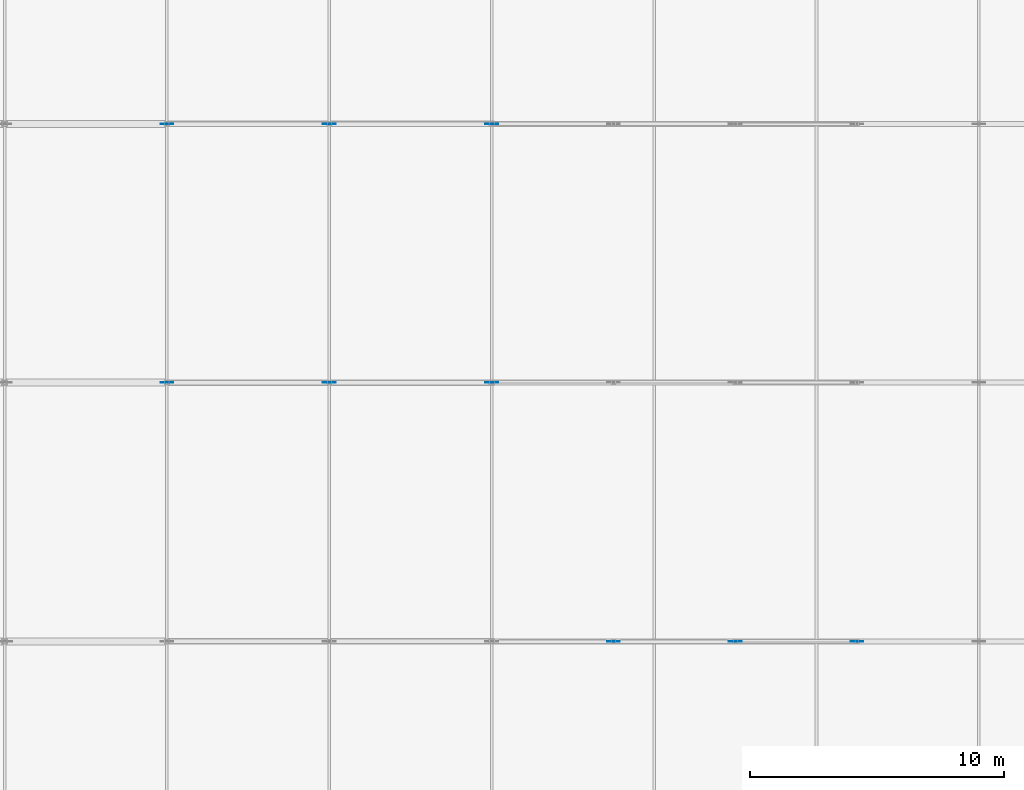
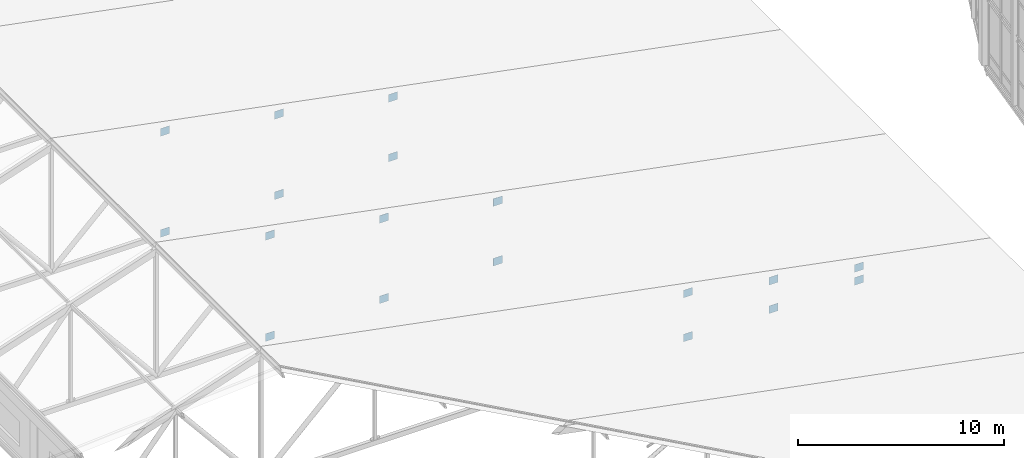
# One storey, part 156 of 200: 18 plates.
"""IFC4 building model written with IfcOpenShell, lengths in metres."""

from ifc_helpers import new_model, si_unit, direction, frame, origin, origin_2d, place, context, subcontext, project, spatial, rectangle, extrude, material, layer, layer_set, type_object, element, save


model = new_model("IFC4")

# Units and contexts
model_context = context("Model", 3, precision=1e-05, world=origin(), true_north=direction((0.0, 1.0)))
body_context = subcontext(model_context, "Body", "Model", "MODEL_VIEW")
ifc_project = project(units=[si_unit("LENGTHUNIT", "METRE"), si_unit("AREAUNIT", "SQUARE_METRE"), si_unit("VOLUMEUNIT", "CUBIC_METRE"), si_unit("PLANEANGLEUNIT", "RADIAN"), si_unit("MASSUNIT", "GRAM", prefix="KILO")], contexts=[model_context])

# Site, building, storey
site_placement = place(None, origin())
site = spatial("IfcSite", under=ifc_project, at=site_placement, CompositionType="ELEMENT")
building_placement = place(site_placement, origin())
building = spatial("IfcBuilding", under=site, at=building_placement, Name="Vondelvale Polytechnic", CompositionType="ELEMENT")
storey_placement = place(building_placement, frame((0.0, 0.0, 13.800048828125)))
storey = spatial("IfcBuildingStorey", under=building, at=storey_placement, Name="L03", CompositionType="ELEMENT", Elevation=13.800048828125)

# Plates
ifc_material = material(Name="Steel Grade 350 (fy = 340 MPa)", Category="steel")
ifc_layer = layer(ifc_material, 0.01611328125)
ifc_layer_set = layer_set([ifc_layer], Name="PLATE-GUSSET-16")
plate_type = type_object("IfcPlateType", Name="PLATE-GUSSET-16", PredefinedType="USERDEFINED", material=ifc_layer_set)
for number, where, z_axis, x_axis, name in (
    (1, (33.60009765625, 71.39990234375, 2.0498046875), (0.0, 0.0, 1.0), (1.0, 0.0, 0.0), "ROOF TRUSS top chord gusset node plate 6"),
    (2, (33.60009765625, 71.39990234375, -0.56494140625), (0.0, 0.0, 1.0), (1.0, 0.0, 0.0), "ROOF TRUSS bottom chord gusset node plate 6"),
    (3, (38.39990234375, 71.39990234375, 1.125), (0.0, 0.0, 1.0), (1.0, 0.0, 0.0), "ROOF TRUSS top chord gusset node plate 7"),
    (4, (38.39990234375, 71.39990234375, -0.56494140625), (0.0, 0.0, 1.0), (1.0, 0.0, 0.0), "ROOF TRUSS bottom chord gusset node plate 7"),
    (5, (43.199951171875, 71.39990234375, 0.2001953125), (0.0, 0.0, 1.0), (1.0, 0.0, 0.0), "ROOF TRUSS top chord gusset node plate 8"),
    (6, (43.199951171875, 71.39990234375, -0.56494140625), (0.0, 0.0, 1.0), (1.0, 0.0, 0.0), "ROOF TRUSS bottom chord gusset node plate 8"),
    (7, (16.0, 81.60009765625, 5.44189453125), (0.0, 0.0, 1.0), (1.0, 0.0, 0.0), "ROOF TRUSS top chord gusset node plate 3"),
    (8, (16.0, 81.60009765625, -0.56494140625), (0.0, 0.0, 1.0), (1.0, 0.0, 0.0), "ROOF TRUSS bottom chord gusset node plate 3"),
    (9, (22.39990234375, 81.60009765625, 4.20849609375), (0.0, 0.0, 1.0), (1.0, 0.0, 0.0), "ROOF TRUSS top chord gusset node plate 4"),
    (10, (22.39990234375, 81.60009765625, -0.56494140625), (0.0, 0.0, 1.0), (1.0, 0.0, 0.0), "ROOF TRUSS bottom chord gusset node plate 4"),
    (11, (28.800048828125, 81.60009765625, 2.97509765625), (0.0, 0.0, 1.0), (1.0, 0.0, 0.0), "ROOF TRUSS top chord gusset node plate 5"),
    (12, (28.800048828125, 81.60009765625, -0.56494140625), (0.0, 0.0, 1.0), (1.0, 0.0, 0.0), "ROOF TRUSS bottom chord gusset node plate 5"),
    (13, (16.0, 91.800048828125, 5.44189453125), (0.0, 0.0, 1.0), (1.0, 0.0, 0.0), "ROOF TRUSS top chord gusset node plate 3"),
    (14, (16.0, 91.800048828125, -0.56494140625), (0.0, 0.0, 1.0), (1.0, 0.0, 0.0), "ROOF TRUSS bottom chord gusset node plate 3"),
    (15, (22.39990234375, 91.800048828125, 4.20849609375), (0.0, 0.0, 1.0), (1.0, 0.0, 0.0), "ROOF TRUSS top chord gusset node plate 4"),
    (16, (22.39990234375, 91.800048828125, -0.56494140625), (0.0, 0.0, 1.0), (1.0, 0.0, 0.0), "ROOF TRUSS bottom chord gusset node plate 4"),
    (17, (28.800048828125, 91.800048828125, 2.97509765625), (0.0, 0.0, 1.0), (1.0, 0.0, 0.0), "ROOF TRUSS top chord gusset node plate 5"),
    (18, (28.800048828125, 91.800048828125, -0.56494140625), (0.0, 0.0, 1.0), (1.0, 0.0, 0.0), "ROOF TRUSS bottom chord gusset node plate 5"),
):
    element("IfcPlate", number, at=place(storey_placement, frame(where, z_axis=z_axis, x_axis=x_axis)), inside=storey, type_object=plate_type, Name=name, ObjectType="GUSSET_PLATE", PredefinedType="USERDEFINED", context=body_context, shape_type="SweptSolid", body=[
        extrude(rectangle(XDim=0.5, YDim=0.01611328125, at=origin_2d()), origin(), (0.0, 0.0, 1.0), 0.449951171875),
    ])

save(model, "model.ifc")
